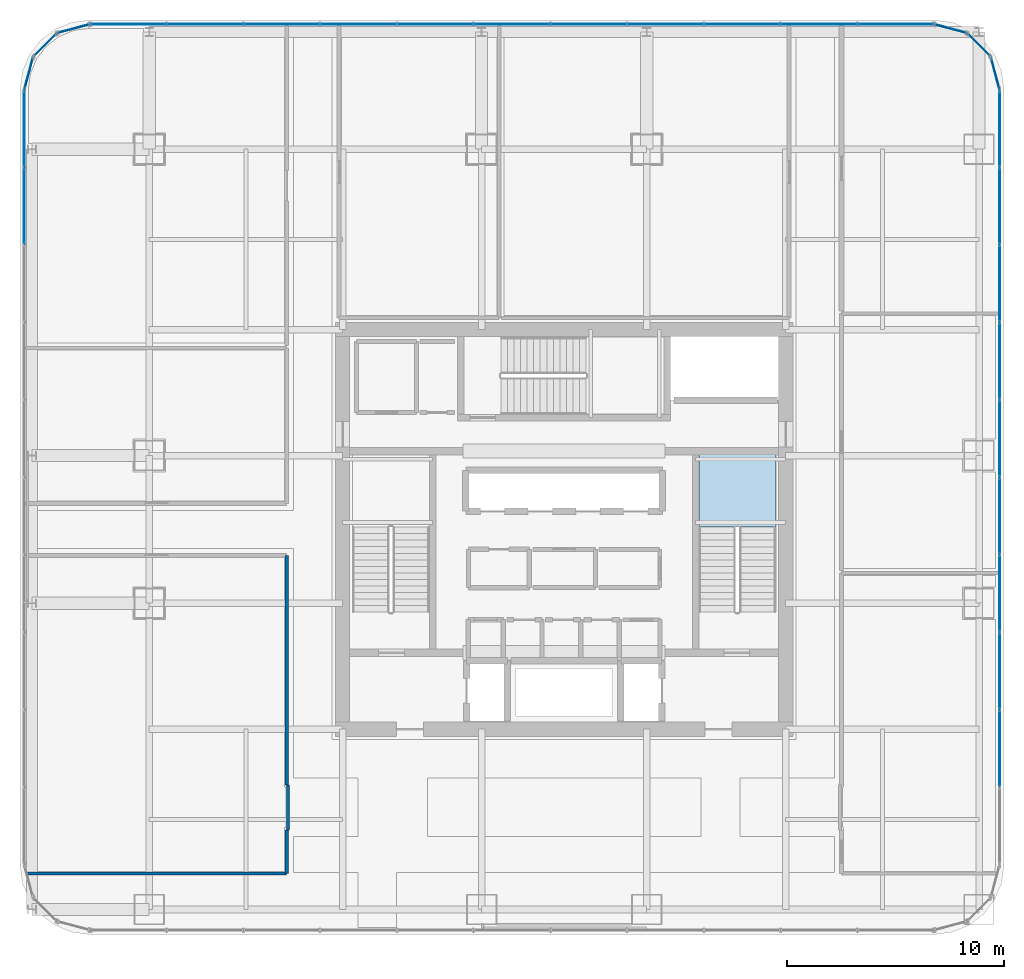
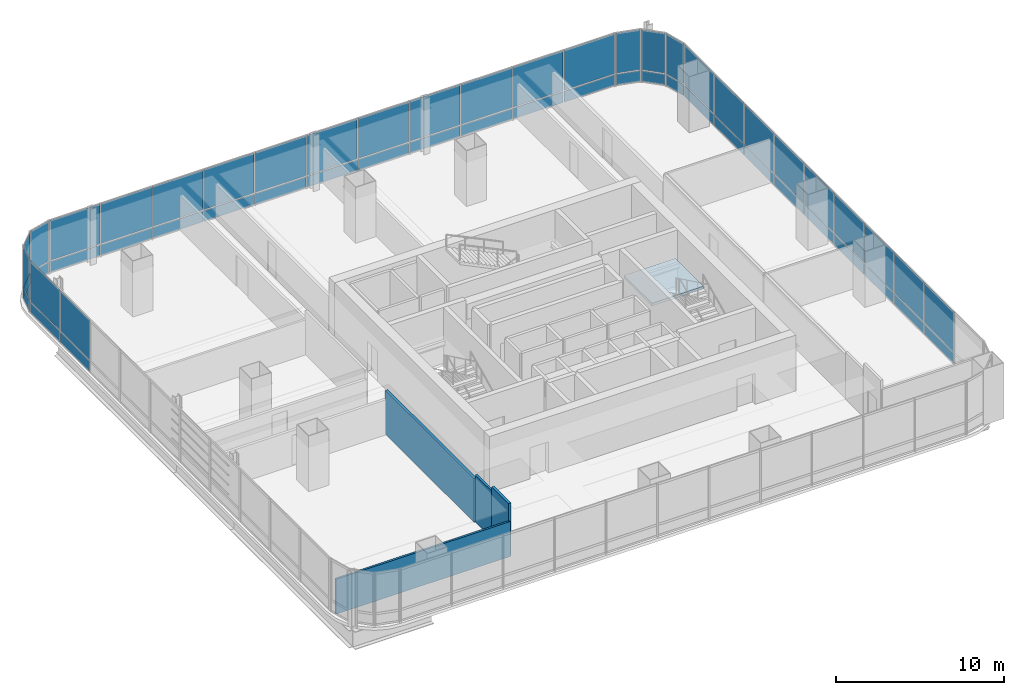
# One storey, part 29 of 38: 56 plates, 4 walls, 1 slab, 10 elements without a shape of their own.
"""IFC4 building model written with IfcOpenShell, lengths in metres."""

from ifc_helpers import new_model, si_unit, direction, frame, frame_2d, origin, origin_2d, place, context, subcontext, project, spatial, polyline, rectangle, outline, extrude, material, layer, layer_set, type_object, element, aggregate, save


model = new_model("IFC4")

# Units and contexts
model_context = context("Model", 3, precision=1e-05, world=origin(), true_north=direction((0.0, 1.0)))
body_context = subcontext(model_context, "Body", "Model", "MODEL_VIEW")
ifc_project = project(units=[si_unit("LENGTHUNIT", "METRE"), si_unit("AREAUNIT", "SQUARE_METRE"), si_unit("VOLUMEUNIT", "CUBIC_METRE"), si_unit("PLANEANGLEUNIT", "RADIAN"), si_unit("MASSUNIT", "GRAM", prefix="KILO")], contexts=[model_context])

# Site, building, storey
site_placement = place(None, origin())
site = spatial("IfcSite", under=ifc_project, at=site_placement, CompositionType="ELEMENT")
building_placement = place(site_placement, origin())
building = spatial("IfcBuilding", under=site, at=building_placement, Name="Punatoya Terracotta Tower", CompositionType="ELEMENT")
storey_placement = place(building_placement, frame((0.0, 0.0, 151.949951171875)))
storey = spatial("IfcBuildingStorey", under=building, at=storey_placement, Name="L35", CompositionType="ELEMENT", Elevation=151.949951171875)

# Curtain wall, plates
ifc_material_1 = material(Name="Aluminium 6063-T6 + Double Low-E Glass", Category="aluminium")
curtain_wall_type = type_object("IfcCurtainWallType", Name="CW-M2", PredefinedType="NOTDEFINED", material=ifc_material_1)
curtain_wall_1_placement = place(storey_placement, origin())
curtain_wall_1 = element("IfcCurtainWall", 1, at=curtain_wall_1_placement, inside=storey, type_object=curtain_wall_type, Name="L35 Curtain Wall CW-L35-E05-1", PredefinedType="NOTDEFINED")
ifc_material_2 = material(Name="Double Low-E Acoustic Vision Glass", Category="glass")
ifc_layer_1 = layer(ifc_material_2, 0.031982421875)
ifc_layer_set_1 = layer_set([ifc_layer_1], Name="Double Low-E Acoustic Vision Glass")
plate_type_1 = type_object("IfcPlateType", Name="PLT-GLZ-32", PredefinedType="CURTAIN_PANEL", material=ifc_layer_set_1)
plate_1_placement = place(storey_placement, frame((20.050048828125, -10.085693359375, 0.89013671875), z_axis=(0.0, 0.0, 1.0), x_axis=(0.0, 1.0, 0.0)))
plate_1 = element("IfcPlate", 2, at=plate_1_placement, type_object=plate_type_1, Name="CW-L35-E05-1 Vision Glass Panel 2", PredefinedType="CURTAIN_PANEL", context=body_context, shape_type="SweptSolid", body=[
    extrude(rectangle(XDim=3.482421875, YDim=0.031982421875, at=origin_2d()), origin(), (0.0, 0.0, 1.0), 2.89990234375),
])
plate_2_placement = place(storey_placement, frame((20.050048828125, -6.518310546875, 0.89013671875), z_axis=(0.0, 0.0, 1.0), x_axis=(0.0, 1.0, 0.0)))
plate_2 = element("IfcPlate", 3, at=plate_2_placement, type_object=plate_type_1, Name="CW-L35-E05-1 Vision Glass Panel 3", PredefinedType="CURTAIN_PANEL", context=body_context, shape_type="SweptSolid", body=[
    extrude(rectangle(XDim=3.482421875, YDim=0.031982421875, at=origin_2d()), origin(), (0.0, 0.0, 1.0), 2.89990234375),
])
plate_3_placement = place(storey_placement, frame((20.050048828125, -2.951171875, 0.89013671875), z_axis=(0.0, 0.0, 1.0), x_axis=(0.0, 1.0, 0.0)))
plate_3 = element("IfcPlate", 4, at=plate_3_placement, type_object=plate_type_1, Name="CW-L35-E05-1 Vision Glass Panel 4", PredefinedType="CURTAIN_PANEL", context=body_context, shape_type="SweptSolid", body=[
    extrude(rectangle(XDim=3.482421875, YDim=0.031982421875, at=origin_2d()), origin(), (0.0, 0.0, 1.0), 2.89990234375),
])
plate_4_placement = place(storey_placement, frame((20.050048828125, 0.6162109375, 0.89013671875), z_axis=(0.0, 0.0, 1.0), x_axis=(0.0, 1.0, 0.0)))
plate_4 = element("IfcPlate", 5, at=plate_4_placement, type_object=plate_type_1, Name="CW-L35-E05-1 Vision Glass Panel 5", PredefinedType="CURTAIN_PANEL", context=body_context, shape_type="SweptSolid", body=[
    extrude(rectangle(XDim=3.482421875, YDim=0.031982421875, at=origin_2d()), origin(), (0.0, 0.0, 1.0), 2.89990234375),
])
plate_5_placement = place(storey_placement, frame((20.050048828125, 4.18359375, 0.89013671875), z_axis=(0.0, 0.0, 1.0), x_axis=(0.0, 1.0, 0.0)))
plate_5 = element("IfcPlate", 6, at=plate_5_placement, type_object=plate_type_1, Name="CW-L35-E05-1 Vision Glass Panel 6", PredefinedType="CURTAIN_PANEL", context=body_context, shape_type="SweptSolid", body=[
    extrude(rectangle(XDim=3.482421875, YDim=0.031982421875, at=origin_2d()), origin(), (0.0, 0.0, 1.0), 2.89990234375),
])
plate_6_placement = place(storey_placement, frame((20.050048828125, 7.751220703125, 0.89013671875), z_axis=(0.0, 0.0, 1.0), x_axis=(0.0, 1.0, 0.0)))
plate_6 = element("IfcPlate", 7, at=plate_6_placement, type_object=plate_type_1, Name="CW-L35-E05-1 Vision Glass Panel 7", PredefinedType="CURTAIN_PANEL", context=body_context, shape_type="SweptSolid", body=[
    extrude(rectangle(XDim=3.482421875, YDim=0.031982421875, at=origin_2d()), origin(), (0.0, 0.0, 1.0), 2.89990234375),
])
plate_7_placement = place(storey_placement, frame((20.050048828125, 11.318359375, 0.89013671875), z_axis=(0.0, 0.0, 1.0), x_axis=(0.0, 1.0, 0.0)))
plate_7 = element("IfcPlate", 8, at=plate_7_placement, type_object=plate_type_1, Name="CW-L35-E05-1 Vision Glass Panel 8", PredefinedType="CURTAIN_PANEL", context=body_context, shape_type="SweptSolid", body=[
    extrude(rectangle(XDim=3.482421875, YDim=0.031982421875, at=origin_2d()), origin(), (0.0, 0.0, 1.0), 2.89990234375),
])
plate_8_placement = place(storey_placement, frame((20.050048828125, 14.8857421875, 0.89013671875), z_axis=(0.0, 0.0, 1.0), x_axis=(0.0, 1.0, 0.0)))
plate_8 = element("IfcPlate", 9, at=plate_8_placement, type_object=plate_type_1, Name="CW-L35-E05-1 Vision Glass Panel 9", PredefinedType="CURTAIN_PANEL", context=body_context, shape_type="SweptSolid", body=[
    extrude(rectangle(XDim=3.482421875, YDim=0.031982421875, at=origin_2d()), origin(), (0.0, 0.0, 1.0), 2.89990234375),
])
plate_9_placement = place(storey_placement, frame((20.050048828125, 18.453125, 0.89013671875), z_axis=(0.0, 0.0, 1.0), x_axis=(0.0, 1.0, 0.0)))
plate_9 = element("IfcPlate", 10, at=plate_9_placement, type_object=plate_type_1, Name="CW-L35-E05-1 Vision Glass Panel 10", PredefinedType="CURTAIN_PANEL", context=body_context, shape_type="SweptSolid", body=[
    extrude(rectangle(XDim=3.482421875, YDim=0.031982421875, at=origin_2d()), origin(), (0.0, 0.0, 1.0), 2.89990234375),
])

# Curtain wall, plate
curtain_wall_2_placement = place(storey_placement, origin())
curtain_wall_2 = element("IfcCurtainWall", 11, at=curtain_wall_2_placement, inside=storey, type_object=curtain_wall_type, Name="L35 Curtain Wall CW-L35-CRN06", PredefinedType="NOTDEFINED")
plate_10_placement = place(storey_placement, frame((19.848388671875, 20.992919921875, 0.89013671875), z_axis=(0.0, 0.0, 1.0), x_axis=(-0.257741620719, 0.966213877436, 0.0)))
plate_10 = element("IfcPlate", 12, at=plate_10_placement, type_object=plate_type_1, Name="CW-L35-CRN06 Vision Glass Panel 1", PredefinedType="CURTAIN_PANEL", context=body_context, shape_type="SweptSolid", body=[
    extrude(rectangle(XDim=1.47998046875, YDim=0.031982421875, at=origin_2d()), origin(), (0.0, 0.0, 1.0), 2.89990234375),
])

curtain_wall_3_placement = place(storey_placement, origin())
curtain_wall_3 = element("IfcCurtainWall", 13, at=curtain_wall_3_placement, inside=storey, type_object=curtain_wall_type, Name="L35 Curtain Wall CW-L35-CRN07", PredefinedType="NOTDEFINED")
plate_11_placement = place(storey_placement, frame((19.097900390625, 22.2978515625, 0.89013671875), z_axis=(0.0, 0.0, 1.0), x_axis=(-0.707106781187, 0.707106781187, 0.0)))
plate_11 = element("IfcPlate", 14, at=plate_11_placement, type_object=plate_type_1, Name="CW-L35-CRN07 Vision Glass Panel 1", PredefinedType="CURTAIN_PANEL", context=body_context, shape_type="SweptSolid", body=[
    extrude(rectangle(XDim=1.467041015625, YDim=0.031982421875, at=origin_2d()), origin(), (0.0, 0.0, 1.0), 2.89990234375),
])

curtain_wall_4_placement = place(storey_placement, origin())
curtain_wall_4 = element("IfcCurtainWall", 15, at=curtain_wall_4_placement, inside=storey, type_object=curtain_wall_type, Name="L35 Curtain Wall CW-L35-CRN08", PredefinedType="NOTDEFINED")
plate_12_placement = place(storey_placement, frame((17.79296875, 23.04833984375, 0.89013671875), z_axis=(0.0, 0.0, 1.0), x_axis=(-0.966213877436, 0.257741620719, 0.0)))
plate_12 = element("IfcPlate", 16, at=plate_12_placement, type_object=plate_type_1, Name="CW-L35-CRN08 Vision Glass Panel 1", PredefinedType="CURTAIN_PANEL", context=body_context, shape_type="SweptSolid", body=[
    extrude(rectangle(XDim=1.47998046875, YDim=0.031982421875, at=origin_2d()), origin(), (0.0, 0.0, 1.0), 2.89990234375),
])

# Curtain wall, plates
curtain_wall_5_placement = place(storey_placement, origin())
curtain_wall_5 = element("IfcCurtainWall", 17, at=curtain_wall_5_placement, inside=storey, type_object=curtain_wall_type, Name="L35 Curtain Wall CW-L35-N09-1", PredefinedType="NOTDEFINED")
plate_13_placement = place(storey_placement, frame((15.27001953125, 23.25, 0.89013671875), z_axis=(0.0, 0.0, 1.0), x_axis=(-1.0, 0.0, 0.0)))
plate_13 = element("IfcPlate", 18, at=plate_13_placement, type_object=plate_type_1, Name="CW-L35-N09-1 Vision Glass Panel 1", PredefinedType="CURTAIN_PANEL", context=body_context, shape_type="SweptSolid", body=[
    extrude(rectangle(XDim=3.448974609375, YDim=0.031982421875, at=origin_2d()), origin(), (0.0, 0.0, 1.0), 2.89990234375),
])
plate_14_placement = place(storey_placement, frame((11.73583984375, 23.25, 0.89013671875), z_axis=(0.0, 0.0, 1.0), x_axis=(-1.0, 0.0, 0.0)))
plate_14 = element("IfcPlate", 19, at=plate_14_placement, type_object=plate_type_1, Name="CW-L35-N09-1 Vision Glass Panel 2", PredefinedType="CURTAIN_PANEL", context=body_context, shape_type="SweptSolid", body=[
    extrude(rectangle(XDim=3.448974609375, YDim=0.031982421875, at=origin_2d()), origin(), (0.0, 0.0, 1.0), 2.89990234375),
])
plate_15_placement = place(storey_placement, frame((8.201904296875, 23.25, 0.89013671875), z_axis=(0.0, 0.0, 1.0), x_axis=(-1.0, 0.0, 0.0)))
plate_15 = element("IfcPlate", 20, at=plate_15_placement, type_object=plate_type_1, Name="CW-L35-N09-1 Vision Glass Panel 3", PredefinedType="CURTAIN_PANEL", context=body_context, shape_type="SweptSolid", body=[
    extrude(rectangle(XDim=3.448974609375, YDim=0.031982421875, at=origin_2d()), origin(), (0.0, 0.0, 1.0), 2.89990234375),
])
plate_16_placement = place(storey_placement, frame((4.66796875, 23.25, 0.89013671875), z_axis=(0.0, 0.0, 1.0), x_axis=(-1.0, 0.0, 0.0)))
plate_16 = element("IfcPlate", 21, at=plate_16_placement, type_object=plate_type_1, Name="CW-L35-N09-1 Vision Glass Panel 4", PredefinedType="CURTAIN_PANEL", context=body_context, shape_type="SweptSolid", body=[
    extrude(rectangle(XDim=3.448974609375, YDim=0.031982421875, at=origin_2d()), origin(), (0.0, 0.0, 1.0), 2.89990234375),
])
plate_17_placement = place(storey_placement, frame((1.134033203125, 23.25, 0.89013671875), z_axis=(0.0, 0.0, 1.0), x_axis=(-1.0, 0.0, 0.0)))
plate_17 = element("IfcPlate", 22, at=plate_17_placement, type_object=plate_type_1, Name="CW-L35-N09-1 Vision Glass Panel 5", PredefinedType="CURTAIN_PANEL", context=body_context, shape_type="SweptSolid", body=[
    extrude(rectangle(XDim=3.448974609375, YDim=0.031982421875, at=origin_2d()), origin(), (0.0, 0.0, 1.0), 2.89990234375),
])
plate_18_placement = place(storey_placement, frame((-2.39990234375, 23.25, 0.89013671875), z_axis=(0.0, 0.0, 1.0), x_axis=(-1.0, 0.0, 0.0)))
plate_18 = element("IfcPlate", 23, at=plate_18_placement, type_object=plate_type_1, Name="CW-L35-N09-1 Vision Glass Panel 6", PredefinedType="CURTAIN_PANEL", context=body_context, shape_type="SweptSolid", body=[
    extrude(rectangle(XDim=3.448974609375, YDim=0.031982421875, at=origin_2d()), origin(), (0.0, 0.0, 1.0), 2.89990234375),
])
plate_19_placement = place(storey_placement, frame((-5.93408203125, 23.25, 0.89013671875), z_axis=(0.0, 0.0, 1.0), x_axis=(-1.0, 0.0, 0.0)))
plate_19 = element("IfcPlate", 24, at=plate_19_placement, type_object=plate_type_1, Name="CW-L35-N09-1 Vision Glass Panel 7", PredefinedType="CURTAIN_PANEL", context=body_context, shape_type="SweptSolid", body=[
    extrude(rectangle(XDim=3.448974609375, YDim=0.031982421875, at=origin_2d()), origin(), (0.0, 0.0, 1.0), 2.89990234375),
])
plate_20_placement = place(storey_placement, frame((-9.468017578125, 23.25, 0.89013671875), z_axis=(0.0, 0.0, 1.0), x_axis=(-1.0, 0.0, 0.0)))
plate_20 = element("IfcPlate", 25, at=plate_20_placement, type_object=plate_type_1, Name="CW-L35-N09-1 Vision Glass Panel 8", PredefinedType="CURTAIN_PANEL", context=body_context, shape_type="SweptSolid", body=[
    extrude(rectangle(XDim=3.448974609375, YDim=0.031982421875, at=origin_2d()), origin(), (0.0, 0.0, 1.0), 2.89990234375),
])
plate_21_placement = place(storey_placement, frame((-13.001953125, 23.25, 0.89013671875), z_axis=(0.0, 0.0, 1.0), x_axis=(-1.0, 0.0, 0.0)))
plate_21 = element("IfcPlate", 26, at=plate_21_placement, type_object=plate_type_1, Name="CW-L35-N09-1 Vision Glass Panel 9", PredefinedType="CURTAIN_PANEL", context=body_context, shape_type="SweptSolid", body=[
    extrude(rectangle(XDim=3.448974609375, YDim=0.031982421875, at=origin_2d()), origin(), (0.0, 0.0, 1.0), 2.89990234375),
])
plate_22_placement = place(storey_placement, frame((-16.535888671875, 23.25, 0.89013671875), z_axis=(0.0, 0.0, 1.0), x_axis=(-1.0, 0.0, 0.0)))
plate_22 = element("IfcPlate", 27, at=plate_22_placement, type_object=plate_type_1, Name="CW-L35-N09-1 Vision Glass Panel 10", PredefinedType="CURTAIN_PANEL", context=body_context, shape_type="SweptSolid", body=[
    extrude(rectangle(XDim=3.448974609375, YDim=0.031982421875, at=origin_2d()), origin(), (0.0, 0.0, 1.0), 2.89990234375),
])
plate_23_placement = place(storey_placement, frame((-20.06982421875, 23.25, 0.89013671875), z_axis=(0.0, 0.0, 1.0), x_axis=(-1.0, 0.0, 0.0)))
plate_23 = element("IfcPlate", 28, at=plate_23_placement, type_object=plate_type_1, Name="CW-L35-N09-1 Vision Glass Panel 11", PredefinedType="CURTAIN_PANEL", context=body_context, shape_type="SweptSolid", body=[
    extrude(rectangle(XDim=3.448974609375, YDim=0.031982421875, at=origin_2d()), origin(), (0.0, 0.0, 1.0), 2.89990234375),
])

# Curtain wall, plate
curtain_wall_6_placement = place(storey_placement, origin())
curtain_wall_6 = element("IfcCurtainWall", 29, at=curtain_wall_6_placement, inside=storey, type_object=curtain_wall_type, Name="L35 Curtain Wall CW-L35-CRN10", PredefinedType="NOTDEFINED")
plate_24_placement = place(storey_placement, frame((-22.593017578125, 23.04833984375, 0.89013671875), z_axis=(0.0, 0.0, 1.0), x_axis=(-0.966213877436, -0.257741620719, 0.0)))
plate_24 = element("IfcPlate", 30, at=plate_24_placement, type_object=plate_type_1, Name="CW-L35-CRN10 Vision Glass Panel 1", PredefinedType="CURTAIN_PANEL", context=body_context, shape_type="SweptSolid", body=[
    extrude(rectangle(XDim=1.47998046875, YDim=0.031982421875, at=origin_2d()), origin(), (0.0, 0.0, 1.0), 2.89990234375),
])

curtain_wall_7_placement = place(storey_placement, origin())
curtain_wall_7 = element("IfcCurtainWall", 31, at=curtain_wall_7_placement, inside=storey, type_object=curtain_wall_type, Name="L35 Curtain Wall CW-L35-CRN11", PredefinedType="NOTDEFINED")
plate_25_placement = place(storey_placement, frame((-23.89794921875, 22.2978515625, 0.89013671875), z_axis=(0.0, 0.0, 1.0), x_axis=(-0.707106781187, -0.707106781187, 0.0)))
plate_25 = element("IfcPlate", 32, at=plate_25_placement, type_object=plate_type_1, Name="CW-L35-CRN11 Vision Glass Panel 1", PredefinedType="CURTAIN_PANEL", context=body_context, shape_type="SweptSolid", body=[
    extrude(rectangle(XDim=1.467041015625, YDim=0.031982421875, at=origin_2d()), origin(), (0.0, 0.0, 1.0), 2.89990234375),
])

curtain_wall_8_placement = place(storey_placement, origin())
curtain_wall_8 = element("IfcCurtainWall", 33, at=curtain_wall_8_placement, inside=storey, type_object=curtain_wall_type, Name="L35 Curtain Wall CW-L35-CRN12", PredefinedType="NOTDEFINED")
plate_26_placement = place(storey_placement, frame((-24.648193359375, 20.992919921875, 0.89013671875), z_axis=(0.0, 0.0, 1.0), x_axis=(-0.257741620719, -0.966213877436, 0.0)))
plate_26 = element("IfcPlate", 34, at=plate_26_placement, type_object=plate_type_1, Name="CW-L35-CRN12 Vision Glass Panel 1", PredefinedType="CURTAIN_PANEL", context=body_context, shape_type="SweptSolid", body=[
    extrude(rectangle(XDim=1.47998046875, YDim=0.031982421875, at=origin_2d()), origin(), (0.0, 0.0, 1.0), 2.89990234375),
])

# Curtain wall, plates
curtain_wall_9_placement = place(storey_placement, origin())
curtain_wall_9 = element("IfcCurtainWall", 35, at=curtain_wall_9_placement, inside=storey, type_object=curtain_wall_type, Name="L35 Curtain Wall CW-L35-W13-1", PredefinedType="NOTDEFINED")
plate_27_placement = place(storey_placement, frame((-24.85009765625, 18.453125, 0.89013671875), z_axis=(0.0, 0.0, 1.0), x_axis=(0.0, -1.0, 0.0)))
plate_27 = element("IfcPlate", 36, at=plate_27_placement, type_object=plate_type_1, Name="CW-L35-W13-1 Vision Glass Panel 1", PredefinedType="CURTAIN_PANEL", context=body_context, shape_type="SweptSolid", body=[
    extrude(rectangle(XDim=3.482421875, YDim=0.031982421875, at=origin_2d()), origin(), (0.0, 0.0, 1.0), 2.89990234375),
])
plate_28_placement = place(storey_placement, frame((-24.85009765625, 14.8857421875, 0.89013671875), z_axis=(0.0, 0.0, 1.0), x_axis=(0.0, -1.0, 0.0)))
plate_28 = element("IfcPlate", 37, at=plate_28_placement, type_object=plate_type_1, Name="CW-L35-W13-1 Vision Glass Panel 2", PredefinedType="CURTAIN_PANEL", context=body_context, shape_type="SweptSolid", body=[
    extrude(rectangle(XDim=3.482421875, YDim=0.031982421875, at=origin_2d()), origin(), (0.0, 0.0, 1.0), 2.89990234375),
])

# Plate
ifc_material_3 = material(Name="Insulated Terracotta-Backed Spandrel Panel", Category="masonry")
ifc_layer_2 = layer(ifc_material_3, 0.044921875)
ifc_layer_set_2 = layer_set([ifc_layer_2], Name="Insulated Terracotta-Backed Spandrel Panel")
plate_type_2 = type_object("IfcPlateType", Name="PLT-SPN-45", PredefinedType="CURTAIN_PANEL", material=ifc_layer_set_2)
plate_29_placement = place(storey_placement, frame((20.050048828125, -10.085693359375, 0.0400390625), z_axis=(0.0, 0.0, 1.0), x_axis=(0.0, 1.0, 0.0)))
plate_29 = element("IfcPlate", 38, at=plate_29_placement, type_object=plate_type_2, Name="CW-L35-E05-1 Terracotta Spandrel Panel 2", PredefinedType="CURTAIN_PANEL", context=body_context, shape_type="SweptSolid", body=[
    extrude(rectangle(XDim=3.482421875, YDim=0.044921875, at=origin_2d()), origin(), (0.0, 0.0, 1.0), 0.77490234375),
])

plate_30_placement = place(storey_placement, frame((20.050048828125, -6.518310546875, 0.0400390625), z_axis=(0.0, 0.0, 1.0), x_axis=(0.0, 1.0, 0.0)))
plate_30 = element("IfcPlate", 39, at=plate_30_placement, type_object=plate_type_2, Name="CW-L35-E05-1 Terracotta Spandrel Panel 3", PredefinedType="CURTAIN_PANEL", context=body_context, shape_type="SweptSolid", body=[
    extrude(rectangle(XDim=3.482421875, YDim=0.044921875, at=origin_2d()), origin(), (0.0, 0.0, 1.0), 0.77490234375),
])

plate_31_placement = place(storey_placement, frame((20.050048828125, -2.951171875, 0.0400390625), z_axis=(0.0, 0.0, 1.0), x_axis=(0.0, 1.0, 0.0)))
plate_31 = element("IfcPlate", 40, at=plate_31_placement, type_object=plate_type_2, Name="CW-L35-E05-1 Terracotta Spandrel Panel 4", PredefinedType="CURTAIN_PANEL", context=body_context, shape_type="SweptSolid", body=[
    extrude(rectangle(XDim=3.482421875, YDim=0.044921875, at=origin_2d()), origin(), (0.0, 0.0, 1.0), 0.77490234375),
])

plate_32_placement = place(storey_placement, frame((20.050048828125, 0.6162109375, 0.0400390625), z_axis=(0.0, 0.0, 1.0), x_axis=(0.0, 1.0, 0.0)))
plate_32 = element("IfcPlate", 41, at=plate_32_placement, type_object=plate_type_2, Name="CW-L35-E05-1 Terracotta Spandrel Panel 5", PredefinedType="CURTAIN_PANEL", context=body_context, shape_type="SweptSolid", body=[
    extrude(rectangle(XDim=3.482421875, YDim=0.044921875, at=origin_2d()), origin(), (0.0, 0.0, 1.0), 0.77490234375),
])

plate_33_placement = place(storey_placement, frame((20.050048828125, 4.18359375, 0.0400390625), z_axis=(0.0, 0.0, 1.0), x_axis=(0.0, 1.0, 0.0)))
plate_33 = element("IfcPlate", 42, at=plate_33_placement, type_object=plate_type_2, Name="CW-L35-E05-1 Terracotta Spandrel Panel 6", PredefinedType="CURTAIN_PANEL", context=body_context, shape_type="SweptSolid", body=[
    extrude(rectangle(XDim=3.482421875, YDim=0.044921875, at=origin_2d()), origin(), (0.0, 0.0, 1.0), 0.77490234375),
])

plate_34_placement = place(storey_placement, frame((20.050048828125, 7.751220703125, 0.0400390625), z_axis=(0.0, 0.0, 1.0), x_axis=(0.0, 1.0, 0.0)))
plate_34 = element("IfcPlate", 43, at=plate_34_placement, type_object=plate_type_2, Name="CW-L35-E05-1 Terracotta Spandrel Panel 7", PredefinedType="CURTAIN_PANEL", context=body_context, shape_type="SweptSolid", body=[
    extrude(rectangle(XDim=3.482421875, YDim=0.044921875, at=origin_2d()), origin(), (0.0, 0.0, 1.0), 0.77490234375),
])

plate_35_placement = place(storey_placement, frame((20.050048828125, 11.318359375, 0.0400390625), z_axis=(0.0, 0.0, 1.0), x_axis=(0.0, 1.0, 0.0)))
plate_35 = element("IfcPlate", 44, at=plate_35_placement, type_object=plate_type_2, Name="CW-L35-E05-1 Terracotta Spandrel Panel 8", PredefinedType="CURTAIN_PANEL", context=body_context, shape_type="SweptSolid", body=[
    extrude(rectangle(XDim=3.482421875, YDim=0.044921875, at=origin_2d()), origin(), (0.0, 0.0, 1.0), 0.77490234375),
])

plate_36_placement = place(storey_placement, frame((20.050048828125, 14.8857421875, 0.0400390625), z_axis=(0.0, 0.0, 1.0), x_axis=(0.0, 1.0, 0.0)))
plate_36 = element("IfcPlate", 45, at=plate_36_placement, type_object=plate_type_2, Name="CW-L35-E05-1 Terracotta Spandrel Panel 9", PredefinedType="CURTAIN_PANEL", context=body_context, shape_type="SweptSolid", body=[
    extrude(rectangle(XDim=3.482421875, YDim=0.044921875, at=origin_2d()), origin(), (0.0, 0.0, 1.0), 0.77490234375),
])

plate_37_placement = place(storey_placement, frame((20.050048828125, 18.453125, 0.0400390625), z_axis=(0.0, 0.0, 1.0), x_axis=(0.0, 1.0, 0.0)))
plate_37 = element("IfcPlate", 46, at=plate_37_placement, type_object=plate_type_2, Name="CW-L35-E05-1 Terracotta Spandrel Panel 10", PredefinedType="CURTAIN_PANEL", context=body_context, shape_type="SweptSolid", body=[
    extrude(rectangle(XDim=3.482421875, YDim=0.044921875, at=origin_2d()), origin(), (0.0, 0.0, 1.0), 0.77490234375),
])

aggregate(curtain_wall_1, [plate_29, plate_1, plate_30, plate_2, plate_31, plate_3, plate_32, plate_4, plate_33, plate_5, plate_34, plate_6, plate_35, plate_7, plate_36, plate_8, plate_37, plate_9])

plate_38_placement = place(storey_placement, frame((19.848388671875, 20.992919921875, 0.0400390625), z_axis=(0.0, 0.0, 1.0), x_axis=(-0.257741620719, 0.966213877436, 0.0)))
plate_38 = element("IfcPlate", 47, at=plate_38_placement, type_object=plate_type_2, Name="CW-L35-CRN06 Terracotta Spandrel Panel 1", PredefinedType="CURTAIN_PANEL", context=body_context, shape_type="SweptSolid", body=[
    extrude(rectangle(XDim=1.47998046875, YDim=0.044921875, at=origin_2d()), origin(), (0.0, 0.0, 1.0), 0.77490234375),
])

aggregate(curtain_wall_2, [plate_38, plate_10])

plate_39_placement = place(storey_placement, frame((19.097900390625, 22.2978515625, 0.0400390625), z_axis=(0.0, 0.0, 1.0), x_axis=(-0.707106781187, 0.707106781187, 0.0)))
plate_39 = element("IfcPlate", 48, at=plate_39_placement, type_object=plate_type_2, Name="CW-L35-CRN07 Terracotta Spandrel Panel 1", PredefinedType="CURTAIN_PANEL", context=body_context, shape_type="SweptSolid", body=[
    extrude(rectangle(XDim=1.467041015625, YDim=0.044921875, at=origin_2d()), origin(), (0.0, 0.0, 1.0), 0.77490234375),
])

aggregate(curtain_wall_3, [plate_39, plate_11])

plate_40_placement = place(storey_placement, frame((17.79296875, 23.04833984375, 0.0400390625), z_axis=(0.0, 0.0, 1.0), x_axis=(-0.966213877436, 0.257741620719, 0.0)))
plate_40 = element("IfcPlate", 49, at=plate_40_placement, type_object=plate_type_2, Name="CW-L35-CRN08 Terracotta Spandrel Panel 1", PredefinedType="CURTAIN_PANEL", context=body_context, shape_type="SweptSolid", body=[
    extrude(rectangle(XDim=1.47998046875, YDim=0.044921875, at=origin_2d()), origin(), (0.0, 0.0, 1.0), 0.77490234375),
])

aggregate(curtain_wall_4, [plate_40, plate_12])

plate_41_placement = place(storey_placement, frame((15.27001953125, 23.25, 0.0400390625), z_axis=(0.0, 0.0, 1.0), x_axis=(-1.0, 0.0, 0.0)))
plate_41 = element("IfcPlate", 50, at=plate_41_placement, type_object=plate_type_2, Name="CW-L35-N09-1 Terracotta Spandrel Panel 1", PredefinedType="CURTAIN_PANEL", context=body_context, shape_type="SweptSolid", body=[
    extrude(rectangle(XDim=3.448974609375, YDim=0.044921875, at=origin_2d()), origin(), (0.0, 0.0, 1.0), 0.77490234375),
])

plate_42_placement = place(storey_placement, frame((11.73583984375, 23.25, 0.0400390625), z_axis=(0.0, 0.0, 1.0), x_axis=(-1.0, 0.0, 0.0)))
plate_42 = element("IfcPlate", 51, at=plate_42_placement, type_object=plate_type_2, Name="CW-L35-N09-1 Terracotta Spandrel Panel 2", PredefinedType="CURTAIN_PANEL", context=body_context, shape_type="SweptSolid", body=[
    extrude(rectangle(XDim=3.448974609375, YDim=0.044921875, at=origin_2d()), origin(), (0.0, 0.0, 1.0), 0.77490234375),
])

plate_43_placement = place(storey_placement, frame((8.201904296875, 23.25, 0.0400390625), z_axis=(0.0, 0.0, 1.0), x_axis=(-1.0, 0.0, 0.0)))
plate_43 = element("IfcPlate", 52, at=plate_43_placement, type_object=plate_type_2, Name="CW-L35-N09-1 Terracotta Spandrel Panel 3", PredefinedType="CURTAIN_PANEL", context=body_context, shape_type="SweptSolid", body=[
    extrude(rectangle(XDim=3.448974609375, YDim=0.044921875, at=origin_2d()), origin(), (0.0, 0.0, 1.0), 0.77490234375),
])

plate_44_placement = place(storey_placement, frame((4.66796875, 23.25, 0.0400390625), z_axis=(0.0, 0.0, 1.0), x_axis=(-1.0, 0.0, 0.0)))
plate_44 = element("IfcPlate", 53, at=plate_44_placement, type_object=plate_type_2, Name="CW-L35-N09-1 Terracotta Spandrel Panel 4", PredefinedType="CURTAIN_PANEL", context=body_context, shape_type="SweptSolid", body=[
    extrude(rectangle(XDim=3.448974609375, YDim=0.044921875, at=origin_2d()), origin(), (0.0, 0.0, 1.0), 0.77490234375),
])

plate_45_placement = place(storey_placement, frame((1.134033203125, 23.25, 0.0400390625), z_axis=(0.0, 0.0, 1.0), x_axis=(-1.0, 0.0, 0.0)))
plate_45 = element("IfcPlate", 54, at=plate_45_placement, type_object=plate_type_2, Name="CW-L35-N09-1 Terracotta Spandrel Panel 5", PredefinedType="CURTAIN_PANEL", context=body_context, shape_type="SweptSolid", body=[
    extrude(rectangle(XDim=3.448974609375, YDim=0.044921875, at=origin_2d()), origin(), (0.0, 0.0, 1.0), 0.77490234375),
])

plate_46_placement = place(storey_placement, frame((-2.39990234375, 23.25, 0.0400390625), z_axis=(0.0, 0.0, 1.0), x_axis=(-1.0, 0.0, 0.0)))
plate_46 = element("IfcPlate", 55, at=plate_46_placement, type_object=plate_type_2, Name="CW-L35-N09-1 Terracotta Spandrel Panel 6", PredefinedType="CURTAIN_PANEL", context=body_context, shape_type="SweptSolid", body=[
    extrude(rectangle(XDim=3.448974609375, YDim=0.044921875, at=origin_2d()), origin(), (0.0, 0.0, 1.0), 0.77490234375),
])

plate_47_placement = place(storey_placement, frame((-5.93408203125, 23.25, 0.0400390625), z_axis=(0.0, 0.0, 1.0), x_axis=(-1.0, 0.0, 0.0)))
plate_47 = element("IfcPlate", 56, at=plate_47_placement, type_object=plate_type_2, Name="CW-L35-N09-1 Terracotta Spandrel Panel 7", PredefinedType="CURTAIN_PANEL", context=body_context, shape_type="SweptSolid", body=[
    extrude(rectangle(XDim=3.448974609375, YDim=0.044921875, at=origin_2d()), origin(), (0.0, 0.0, 1.0), 0.77490234375),
])

plate_48_placement = place(storey_placement, frame((-9.468017578125, 23.25, 0.0400390625), z_axis=(0.0, 0.0, 1.0), x_axis=(-1.0, 0.0, 0.0)))
plate_48 = element("IfcPlate", 57, at=plate_48_placement, type_object=plate_type_2, Name="CW-L35-N09-1 Terracotta Spandrel Panel 8", PredefinedType="CURTAIN_PANEL", context=body_context, shape_type="SweptSolid", body=[
    extrude(rectangle(XDim=3.448974609375, YDim=0.044921875, at=origin_2d()), origin(), (0.0, 0.0, 1.0), 0.77490234375),
])

plate_49_placement = place(storey_placement, frame((-13.001953125, 23.25, 0.0400390625), z_axis=(0.0, 0.0, 1.0), x_axis=(-1.0, 0.0, 0.0)))
plate_49 = element("IfcPlate", 58, at=plate_49_placement, type_object=plate_type_2, Name="CW-L35-N09-1 Terracotta Spandrel Panel 9", PredefinedType="CURTAIN_PANEL", context=body_context, shape_type="SweptSolid", body=[
    extrude(rectangle(XDim=3.448974609375, YDim=0.044921875, at=origin_2d()), origin(), (0.0, 0.0, 1.0), 0.77490234375),
])

plate_50_placement = place(storey_placement, frame((-16.535888671875, 23.25, 0.0400390625), z_axis=(0.0, 0.0, 1.0), x_axis=(-1.0, 0.0, 0.0)))
plate_50 = element("IfcPlate", 59, at=plate_50_placement, type_object=plate_type_2, Name="CW-L35-N09-1 Terracotta Spandrel Panel 10", PredefinedType="CURTAIN_PANEL", context=body_context, shape_type="SweptSolid", body=[
    extrude(rectangle(XDim=3.448974609375, YDim=0.044921875, at=origin_2d()), origin(), (0.0, 0.0, 1.0), 0.77490234375),
])

plate_51_placement = place(storey_placement, frame((-20.06982421875, 23.25, 0.0400390625), z_axis=(0.0, 0.0, 1.0), x_axis=(-1.0, 0.0, 0.0)))
plate_51 = element("IfcPlate", 60, at=plate_51_placement, type_object=plate_type_2, Name="CW-L35-N09-1 Terracotta Spandrel Panel 11", PredefinedType="CURTAIN_PANEL", context=body_context, shape_type="SweptSolid", body=[
    extrude(rectangle(XDim=3.448974609375, YDim=0.044921875, at=origin_2d()), origin(), (0.0, 0.0, 1.0), 0.77490234375),
])

aggregate(curtain_wall_5, [plate_41, plate_13, plate_42, plate_14, plate_43, plate_15, plate_44, plate_16, plate_45, plate_17, plate_46, plate_18, plate_47, plate_19, plate_48, plate_20, plate_49, plate_21, plate_50, plate_22, plate_51, plate_23])

plate_52_placement = place(storey_placement, frame((-22.593017578125, 23.04833984375, 0.0400390625), z_axis=(0.0, 0.0, 1.0), x_axis=(-0.966213877436, -0.257741620719, 0.0)))
plate_52 = element("IfcPlate", 61, at=plate_52_placement, type_object=plate_type_2, Name="CW-L35-CRN10 Terracotta Spandrel Panel 1", PredefinedType="CURTAIN_PANEL", context=body_context, shape_type="SweptSolid", body=[
    extrude(rectangle(XDim=1.47998046875, YDim=0.044921875, at=origin_2d()), origin(), (0.0, 0.0, 1.0), 0.77490234375),
])

aggregate(curtain_wall_6, [plate_52, plate_24])

plate_53_placement = place(storey_placement, frame((-23.89794921875, 22.2978515625, 0.0400390625), z_axis=(0.0, 0.0, 1.0), x_axis=(-0.707106781187, -0.707106781187, 0.0)))
plate_53 = element("IfcPlate", 62, at=plate_53_placement, type_object=plate_type_2, Name="CW-L35-CRN11 Terracotta Spandrel Panel 1", PredefinedType="CURTAIN_PANEL", context=body_context, shape_type="SweptSolid", body=[
    extrude(rectangle(XDim=1.467041015625, YDim=0.044921875, at=origin_2d()), origin(), (0.0, 0.0, 1.0), 0.77490234375),
])

aggregate(curtain_wall_7, [plate_53, plate_25])

plate_54_placement = place(storey_placement, frame((-24.648193359375, 20.992919921875, 0.0400390625), z_axis=(0.0, 0.0, 1.0), x_axis=(-0.257741620719, -0.966213877436, 0.0)))
plate_54 = element("IfcPlate", 63, at=plate_54_placement, type_object=plate_type_2, Name="CW-L35-CRN12 Terracotta Spandrel Panel 1", PredefinedType="CURTAIN_PANEL", context=body_context, shape_type="SweptSolid", body=[
    extrude(rectangle(XDim=1.47998046875, YDim=0.044921875, at=origin_2d()), origin(), (0.0, 0.0, 1.0), 0.77490234375),
])

aggregate(curtain_wall_8, [plate_54, plate_26])

plate_55_placement = place(storey_placement, frame((-24.85009765625, 18.453125, 0.0400390625), z_axis=(0.0, 0.0, 1.0), x_axis=(0.0, -1.0, 0.0)))
plate_55 = element("IfcPlate", 64, at=plate_55_placement, type_object=plate_type_2, Name="CW-L35-W13-1 Terracotta Spandrel Panel 1", PredefinedType="CURTAIN_PANEL", context=body_context, shape_type="SweptSolid", body=[
    extrude(rectangle(XDim=3.482421875, YDim=0.044921875, at=origin_2d()), origin(), (0.0, 0.0, 1.0), 0.77490234375),
])

plate_56_placement = place(storey_placement, frame((-24.85009765625, 14.8857421875, 0.0400390625), z_axis=(0.0, 0.0, 1.0), x_axis=(0.0, -1.0, 0.0)))
plate_56 = element("IfcPlate", 65, at=plate_56_placement, type_object=plate_type_2, Name="CW-L35-W13-1 Terracotta Spandrel Panel 2", PredefinedType="CURTAIN_PANEL", context=body_context, shape_type="SweptSolid", body=[
    extrude(rectangle(XDim=3.482421875, YDim=0.044921875, at=origin_2d()), origin(), (0.0, 0.0, 1.0), 0.77490234375),
])

aggregate(curtain_wall_9, [plate_55, plate_27, plate_56, plate_28])

# Stair, slab
ifc_material_4 = material(Name="Concrete C40/50", Category="concrete")
stair_type = type_object("IfcStairType", Name="STR-LOB-1650", PredefinedType="HALF_TURN_STAIR", material=ifc_material_4)
stair_placement = place(storey_placement, origin())
stair = element("IfcStair", 66, at=stair_placement, inside=storey, type_object=stair_type, Name="L35 Protected Core Exit Stair ST-2", PredefinedType="HALF_TURN_STAIR")
ifc_layer_3 = layer(ifc_material_4, 0.179931640625)
ifc_layer_set_3 = layer_set([ifc_layer_3], Name="Concrete C40/50")
slab_type = type_object("IfcSlabType", Name="SLB-LND-180", PredefinedType="LANDING", material=ifc_layer_set_3)
slab_placement = place(storey_placement, frame((0.0, 0.0, 1.824951171875)))
slab = element("IfcSlab", 67, at=slab_placement, type_object=slab_type, Name="ST-2 landing 1", PredefinedType="LANDING", context=body_context, shape_type="SweptSolid", body=[
    extrude(outline(polyline([(9.75, 0.10009765625), (9.75, 3.449951171875), (6.199951171875, 3.449951171875), (6.199951171875, 0.10009765625), (9.75, 0.10009765625)])), origin(), (0.0, 0.0, 1.0), 0.2001953125),
])
aggregate(stair, [slab])

# Walls
ifc_material_5 = material(Name="Gypsum Fireboard + Steel Stud", Category="steel")
ifc_layer_4 = layer(ifc_material_5, 0.179931640625)
ifc_layer_set_4 = layer_set([ifc_layer_4], Name="Gypsum Fireboard + Steel Stud")
wall_type_1 = type_object("IfcWallType", Name="WL-CORR-180", PredefinedType="PARTITIONING", material=ifc_layer_set_4)
wall_1_placement = place(storey_placement, frame((-12.77001953125, -1.199951171875, 0.0), z_axis=(0.0, 0.0, 1.0), x_axis=(0.0, -1.0, 0.0)))
element("IfcWall", 68, at=wall_1_placement, inside=storey, type_object=wall_type_1, Name="L35 Cartography Reference Library Partition 34", PredefinedType="PARTITIONING", context=body_context, shape_type="SweptSolid", body=[
    extrude(rectangle(XDim=10.570068359375, YDim=0.179931640625, at=frame_2d((5.28515625, 0.0))), origin(), (0.0, 0.0, 1.0), 3.174072265625),
])
wall_2_placement = place(storey_placement, frame((-12.77001953125, -13.830078125, 0.0), z_axis=(0.0, 0.0, 1.0), x_axis=(0.0, -1.0, 0.0)))
element("IfcWall", 69, at=wall_2_placement, inside=storey, type_object=wall_type_1, Name="L35 Cartography Reference Library Partition 36", PredefinedType="PARTITIONING", context=body_context, shape_type="SweptSolid", body=[
    extrude(rectangle(XDim=2.010009765625, YDim=0.179931640625, at=frame_2d((1.0048828125, 0.0))), origin(), (0.0, 0.0, 1.0), 3.830078125),
])
ifc_material_6 = material(Name="Acoustic Gypsum + Steel Stud", Category="steel")
ifc_layer_5 = layer(ifc_material_6, 0.139892578125)
ifc_layer_set_5 = layer_set([ifc_layer_5], Name="Acoustic Gypsum + Steel Stud")
wall_type_2 = type_object("IfcWallType", Name="WL-OFF-140", PredefinedType="PARTITIONING", material=ifc_layer_set_5)
wall_3_placement = place(storey_placement, frame((-12.7099609375, -11.77001953125, 0.0), z_axis=(0.0, 0.0, 1.0), x_axis=(0.0, -1.0, 0.0)))
element("IfcWall", 70, at=wall_3_placement, inside=storey, type_object=wall_type_2, Name="L35 Cartography Reference Library Partition 35", PredefinedType="PARTITIONING", context=body_context, shape_type="SweptSolid", body=[
    extrude(rectangle(XDim=2.06005859375, YDim=0.139892578125, at=frame_2d((1.030029296875, 0.0))), origin(), (0.0, 0.0, 1.0), 3.424072265625),
])
wall_4_placement = place(storey_placement, frame((-12.77001953125, -15.840087890625, 0.0), z_axis=(0.0, 0.0, 1.0), x_axis=(-1.0, 0.0, 0.0)))
element("IfcWall", 71, at=wall_4_placement, inside=storey, type_object=wall_type_2, Name="L35 Cartography Reference Library Partition 37", PredefinedType="PARTITIONING", context=body_context, shape_type="SweptSolid", body=[
    extrude(rectangle(XDim=11.9462890625, YDim=0.139892578125, at=frame_2d((5.97314453125, 0.0))), origin(), (0.0, 0.0, 1.0), 2.5439453125),
])

save(model, "model.ifc")
